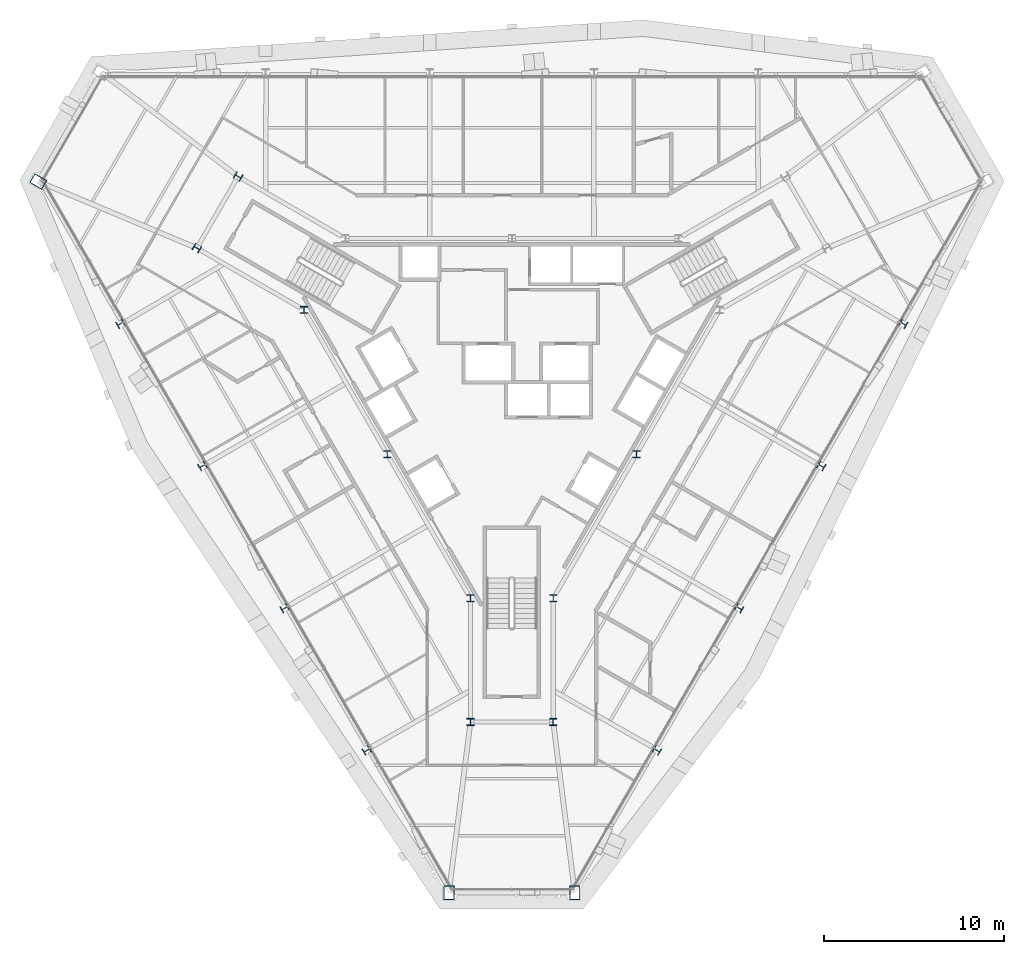
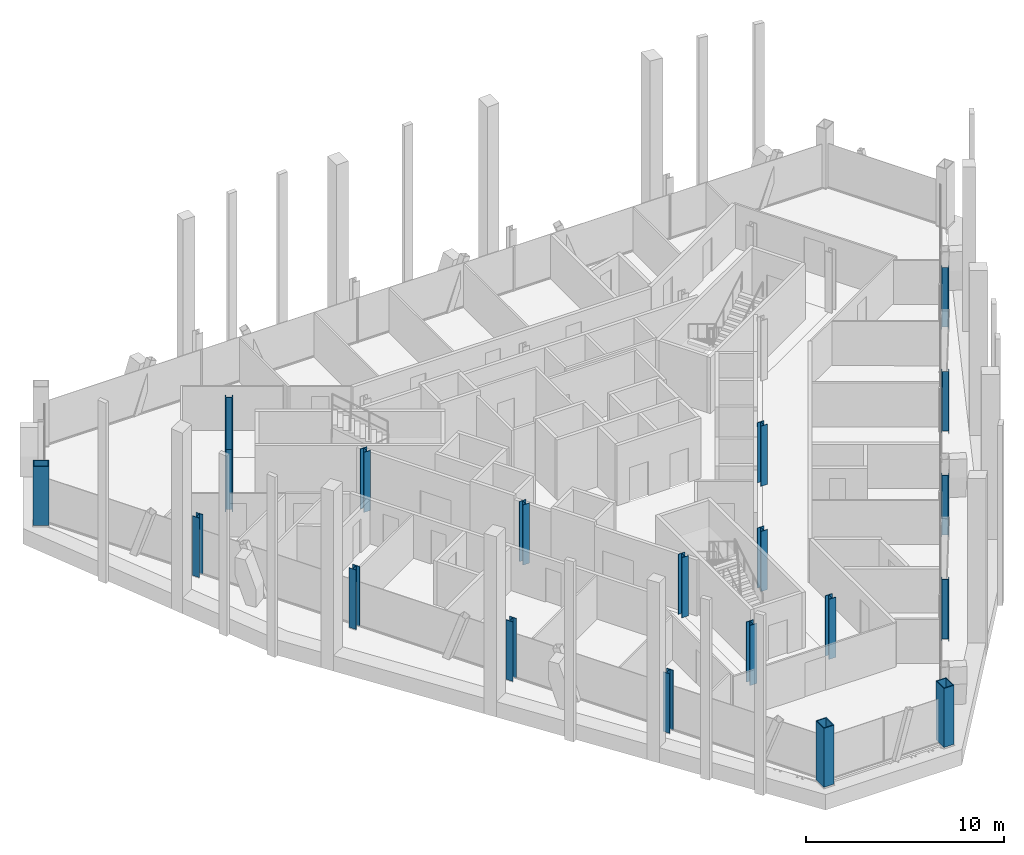
# One storey, part 1 of 16: 20 columns.
"""IFC4 building model written with IfcOpenShell, lengths in metres."""

from ifc_helpers import new_model, si_unit, direction, frame, origin, origin_2d, place, context, subcontext, project, spatial, hollow_rectangle, i_section, extrude, material, material_profile, profile_set, type_object, element, save


model = new_model("IFC4")

# Units and contexts
model_context = context("Model", 3, precision=1e-05, world=origin(), true_north=direction((0.0, 1.0)))
body_context = subcontext(model_context, "Body", "Model", "MODEL_VIEW")
ifc_project = project(units=[si_unit("LENGTHUNIT", "METRE"), si_unit("AREAUNIT", "SQUARE_METRE"), si_unit("VOLUMEUNIT", "CUBIC_METRE"), si_unit("PLANEANGLEUNIT", "RADIAN"), si_unit("MASSUNIT", "GRAM", prefix="KILO")], contexts=[model_context])

# Site, building, storey
site_placement = place(None, origin())
site = spatial("IfcSite", under=ifc_project, at=site_placement, CompositionType="ELEMENT")
building_placement = place(site_placement, origin())
building = spatial("IfcBuilding", under=site, at=building_placement, Name="Verrane Prism Tower", CompositionType="ELEMENT")
storey_placement = place(building_placement, frame((0.0, 0.0, 247.10009765625)))
storey = spatial("IfcBuildingStorey", under=building, at=storey_placement, Name="L62", CompositionType="ELEMENT", Elevation=247.10009765625)

# Columns
ifc_material_1 = material(Name="Steel A992", Category="steel")
ifc_material_profile_1 = material_profile(ifc_material_1, i_section(OverallWidth=0.4013671875, OverallDepth=0.398681640625, WebThickness=0.02490234375, FlangeThickness=0.03955078125, FilletRadius=0.01513671875, at=origin_2d()), Name="W14x211")
ifc_profile_set_1 = profile_set([ifc_material_profile_1], Name="Steel A992")
column_type_1 = type_object("IfcColumnType", Name="Core corner column W14x211", PredefinedType="COLUMN", material=ifc_profile_set_1)
for number, where, z_axis, x_axis, name in (
    (1, (-15.219970703125, 11.43994140625, 0.0), (0.0, 0.0, 1.0), (0.5, 0.866025403784, 0.0), "Core corner column CK-NWm L62"),
    (2, (-17.52001953125, 7.4599609375, 0.0), (0.0, 0.0, 1.0), (0.5, 0.866025403784, 0.0), "Core corner column CK-NWp L62"),
    (3, (-2.300048828125, -18.89990234375, 0.0), (0.0, 0.0, 1.0), (-1.0, 0.0, 0.0), "Core corner column CK-Sm L62"),
    (4, (2.300048828125, -18.89990234375, 0.0), (0.0, 0.0, 1.0), (-1.0, 0.0, 0.0), "Core corner column CK-Sp L62"),
):
    element("IfcColumn", number, at=place(storey_placement, frame(where, z_axis=z_axis, x_axis=x_axis)), inside=storey, type_object=column_type_1, Name=name, PredefinedType="COLUMN", context=body_context, shape_type="SweptSolid", body=[
        extrude(i_section(OverallWidth=0.4013671875, OverallDepth=0.398681640625, WebThickness=0.02490234375, FlangeThickness=0.03955078125, FilletRadius=0.01513671875, at=origin_2d()), origin(), (0.0, 0.0, 1.0), 3.699951171875),
    ])
ifc_material_2 = material(Name="Steel A992", Category="steel")
ifc_material_profile_2 = material_profile(ifc_material_2, i_section(OverallWidth=0.398681640625, OverallDepth=0.385986328125, WebThickness=0.02099609375, FlangeThickness=0.033203125, FilletRadius=0.01513671875, at=origin_2d()), Name="W14x176")
ifc_profile_set_2 = profile_set([ifc_material_profile_2], Name="Steel A992")
column_type_2 = type_object("IfcColumnType", Name="Core side column W14x176", PredefinedType="COLUMN", material=ifc_profile_set_2)
for number, where, z_axis, x_axis, name in (
    (5, (-11.56005859375, 4.02001953125, 0.0), (0.0, 0.0, 1.0), (1.0, 0.0, 0.0), "Core side column CC-NWp L62"),
    (6, (-6.929931640625, -4.0, 0.0), (0.0, 0.0, 1.0), (1.0, 0.0, 0.0), "Core side column CC-SW0 L62"),
    (7, (-2.300048828125, -12.02001953125, 0.0), (0.0, 0.0, 1.0), (1.0, 0.0, 0.0), "Core side column CC-Sm L62"),
    (8, (2.300048828125, -12.02001953125, 0.0), (0.0, 0.0, 1.0), (1.0, 0.0, 0.0), "Core side column CC-Sp L62"),
    (9, (6.929931640625, -4.0, 0.0), (0.0, 0.0, 1.0), (1.0, 0.0, 0.0), "Core side column CC-SE0 L62"),
):
    element("IfcColumn", number, at=place(storey_placement, frame(where, z_axis=z_axis, x_axis=x_axis)), inside=storey, type_object=column_type_2, Name=name, PredefinedType="COLUMN", context=body_context, shape_type="SweptSolid", body=[
        extrude(i_section(OverallWidth=0.398681640625, OverallDepth=0.385986328125, WebThickness=0.02099609375, FlangeThickness=0.033203125, FilletRadius=0.01513671875, at=origin_2d()), origin(), (0.0, 0.0, 1.0), 3.699951171875),
    ])
ifc_material_3 = material(Name="Steel A572 Grade 50", Category="steel")
ifc_material_profile_3 = material_profile(ifc_material_3, hollow_rectangle(XDim=0.60009765625, YDim=0.800048828125, WallThickness=0.050048828125, at=origin_2d()), Name="BOX 800x600x50")
ifc_profile_set_3 = profile_set([ifc_material_profile_3], Name="Steel A572 Grade 50")
column_type_3 = type_object("IfcColumnType", Name="Megacolumn BOX 800x600x50", PredefinedType="COLUMN", material=ifc_profile_set_3)
for number, where, z_axis, x_axis, name in (
    (10, (-26.340087890625, 11.159912109375, 0.06494140625), (0.0, 0.0, 1.0), (0.5, 0.866025403784, 0.0), "Megacolumn MC-NW.b L62"),
    (11, (-3.5, -28.389892578125, 0.06494140625), (0.0, 0.0, 1.0), (-1.0, 0.0, 0.0), "Megacolumn MC-S.a L62"),
    (12, (3.5, -28.389892578125, 0.06494140625), (0.0, 0.0, 1.0), (-1.0, 0.0, 0.0), "Megacolumn MC-S.b L62"),
):
    element("IfcColumn", number, at=place(storey_placement, frame(where, z_axis=z_axis, x_axis=x_axis)), inside=storey, type_object=column_type_3, Name=name, PredefinedType="COLUMN", context=body_context, shape_type="SweptSolid", body=[
        extrude(hollow_rectangle(XDim=0.60009765625, YDim=0.800048828125, WallThickness=0.050048828125, at=origin_2d()), origin(), (0.0, 0.0, 1.0), 3.635009765625),
    ])
ifc_material_4 = material(Name="Steel A992", Category="steel")
ifc_material_profile_4 = material_profile(ifc_material_4, i_section(OverallWidth=0.398681640625, OverallDepth=0.385986328125, WebThickness=0.02099609375, FlangeThickness=0.033203125, FilletRadius=0.01513671875, at=origin_2d()), Name="W14x176")
ifc_profile_set_4 = profile_set([ifc_material_profile_4], Name="Steel A992")
column_type_4 = type_object("IfcColumnType", Name="Perimeter column W14x176", PredefinedType="COLUMN", material=ifc_profile_set_4)
for number, where, z_axis, x_axis, name in (
    (13, (-21.77001953125, 3.25, 0.034912109375), (0.0, 0.0, 1.0), (-0.5, 0.866025403784, 0.0), "Perimeter column PC-SW1 L62"),
    (14, (-17.2099609375, -4.659912109375, 0.034912109375), (0.0, 0.0, 1.0), (-0.5, 0.866025403784, 0.0), "Perimeter column PC-SW2 L62"),
    (15, (-12.639892578125, -12.570068359375, 0.034912109375), (0.0, 0.0, 1.0), (-0.5, 0.866025403784, 0.0), "Perimeter column PC-SW3 L62"),
    (16, (-8.070068359375, -20.47998046875, 0.034912109375), (0.0, 0.0, 1.0), (-0.5, 0.866025403784, 0.0), "Perimeter column PC-SW4 L62"),
    (17, (8.070068359375, -20.47998046875, 0.034912109375), (0.0, 0.0, 1.0), (-0.5, -0.866025403784, 0.0), "Perimeter column PC-SE1 L62"),
    (18, (12.639892578125, -12.570068359375, 0.034912109375), (0.0, 0.0, 1.0), (-0.5, -0.866025403784, 0.0), "Perimeter column PC-SE2 L62"),
    (19, (17.2099609375, -4.659912109375, 0.034912109375), (0.0, 0.0, 1.0), (-0.5, -0.866025403784, 0.0), "Perimeter column PC-SE3 L62"),
    (20, (21.77001953125, 3.25, 0.034912109375), (0.0, 0.0, 1.0), (-0.5, -0.866025403784, 0.0), "Perimeter column PC-SE4 L62"),
):
    element("IfcColumn", number, at=place(storey_placement, frame(where, z_axis=z_axis, x_axis=x_axis)), inside=storey, type_object=column_type_4, Name=name, PredefinedType="COLUMN", context=body_context, shape_type="SweptSolid", body=[
        extrude(i_section(OverallWidth=0.398681640625, OverallDepth=0.385986328125, WebThickness=0.02099609375, FlangeThickness=0.033203125, FilletRadius=0.01513671875, at=origin_2d()), origin(), (0.0, 0.0, 1.0), 3.6650390625),
    ])

save(model, "model.ifc")
